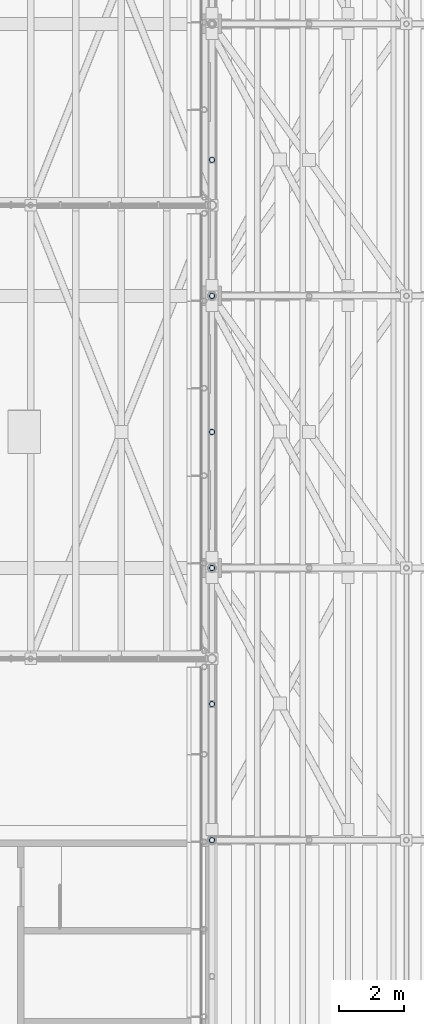
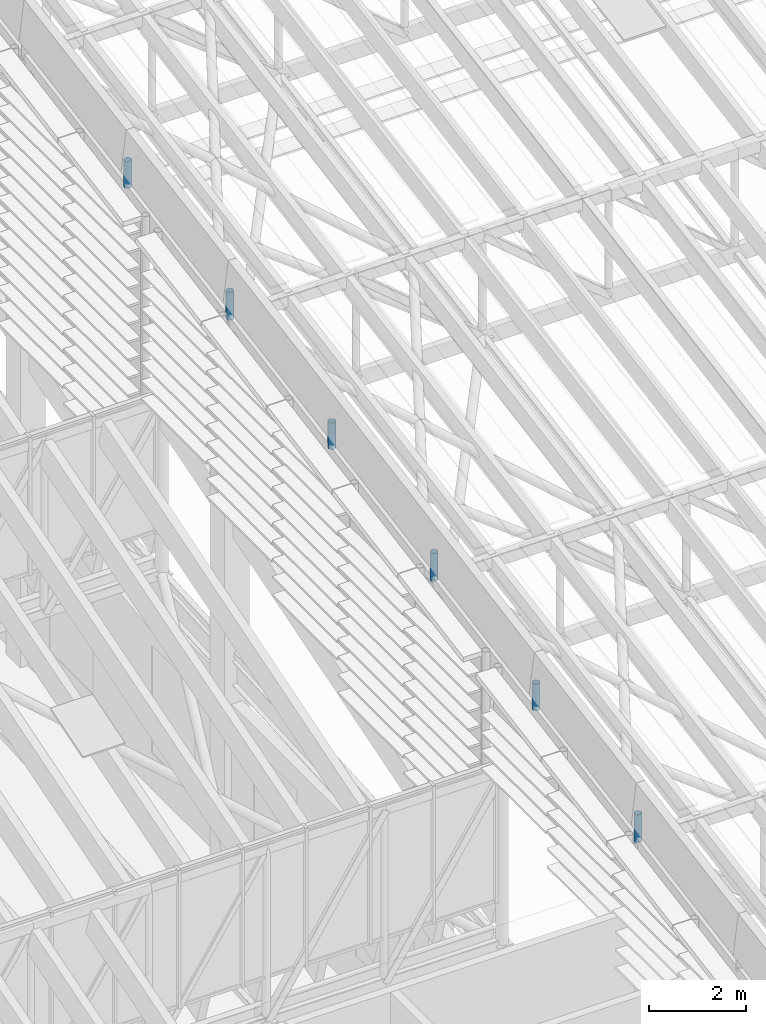
# One storey, part 53 of 91: 6 members.
"""IFC4 building model written with IfcOpenShell, lengths in metres."""

from ifc_helpers import new_model, si_unit, direction, frame, origin, origin_2d, place, context, subcontext, project, spatial, hollow_circle, extrude, material, material_profile, profile_set, type_object, element, save


model = new_model("IFC4")

# Units and contexts
model_context = context("Model", 3, precision=1e-05, world=origin(), true_north=direction((0.0, 1.0)))
body_context = subcontext(model_context, "Body", "Model", "MODEL_VIEW")
ifc_project = project(units=[si_unit("LENGTHUNIT", "METRE"), si_unit("AREAUNIT", "SQUARE_METRE"), si_unit("VOLUMEUNIT", "CUBIC_METRE"), si_unit("PLANEANGLEUNIT", "RADIAN"), si_unit("MASSUNIT", "GRAM", prefix="KILO")], contexts=[model_context])

# Site, building, storey
site_placement = place(None, origin())
site = spatial("IfcSite", under=ifc_project, at=site_placement, CompositionType="ELEMENT")
building_placement = place(site_placement, origin())
building = spatial("IfcBuilding", under=site, at=building_placement, Name="Almond Square Museum", CompositionType="ELEMENT")
storey_placement = place(building_placement, frame((0.0, 0.0, 30.0)))
storey = spatial("IfcBuildingStorey", under=building, at=storey_placement, Name="L05", CompositionType="ELEMENT", Elevation=30.0)

# Members
ifc_material = material(Name="Structural steel S355", Category="steel")
ifc_material_profile = material_profile(ifc_material, hollow_circle(Radius=0.084228515625, WallThickness=0.008056640625, at=origin_2d()))
ifc_profile_set = profile_set([ifc_material_profile], Name="Structural steel S355")
member_type = type_object("IfcMemberType", Name="Fascia post CHS 168.3x8", PredefinedType="POST", material=ifc_profile_set)
for number, where, z_axis, x_axis, name in (
    (1, (106.800048828125, 75.60009765625, 10.658447265625), (0.0, 0.0, 1.0), (1.0, 0.0, 0.0), "Rake fascia post W 4"),
    (2, (106.800048828125, 84.0, 12.12841796875), (0.0, 0.0, 1.0), (1.0, 0.0, 0.0), "Rake fascia post W 5"),
    (3, (106.800048828125, 92.39990234375, 13.598388671875), (0.0, 0.0, 1.0), (1.0, 0.0, 0.0), "Rake fascia post W 6"),
):
    element("IfcMember", number, at=place(storey_placement, frame(where, z_axis=z_axis, x_axis=x_axis)), inside=storey, type_object=member_type, Name=name, PredefinedType="POST", context=body_context, shape_type="SweptSolid", body=[
        extrude(hollow_circle(Radius=0.084228515625, WallThickness=0.008056640625, at=origin_2d()), origin(), (0.0, 0.0, 1.0), 0.70166015625),
    ])
for number, where, z_axis, x_axis, name in (
    (4, (106.800048828125, 79.800048828125, 11.423583984375), (0.0, 0.0, 1.0), (1.0, 0.0, 0.0), "Rake fascia post W bay 4"),
    (5, (106.800048828125, 88.199951171875, 12.8935546875), (0.0, 0.0, 1.0), (1.0, 0.0, 0.0), "Rake fascia post W bay 5"),
    (6, (106.800048828125, 96.60009765625, 14.363525390625), (0.0, 0.0, 1.0), (1.0, 0.0, 0.0), "Rake fascia post W bay 6"),
):
    element("IfcMember", number, at=place(storey_placement, frame(where, z_axis=z_axis, x_axis=x_axis)), inside=storey, type_object=member_type, Name=name, PredefinedType="POST", context=body_context, shape_type="SweptSolid", body=[
        extrude(hollow_circle(Radius=0.084228515625, WallThickness=0.008056640625, at=origin_2d()), origin(), (0.0, 0.0, 1.0), 0.67138671875),
    ])

save(model, "model.ifc")
